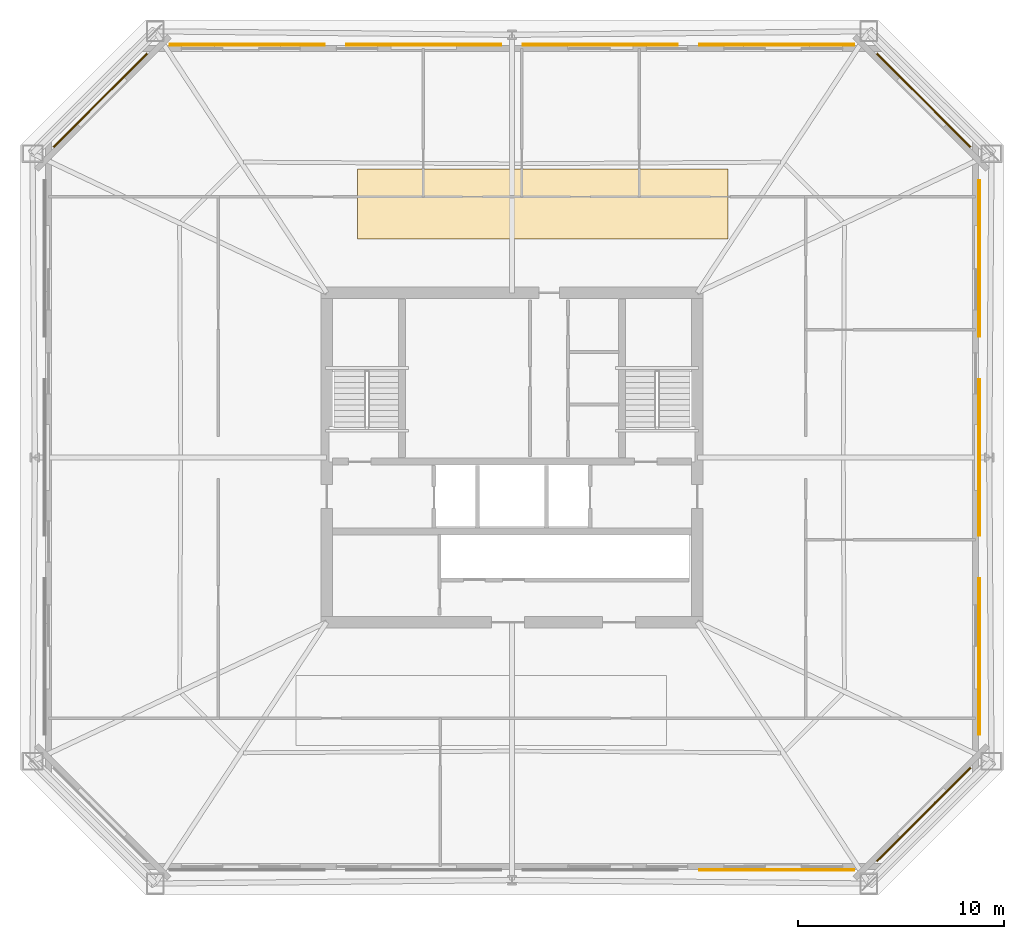
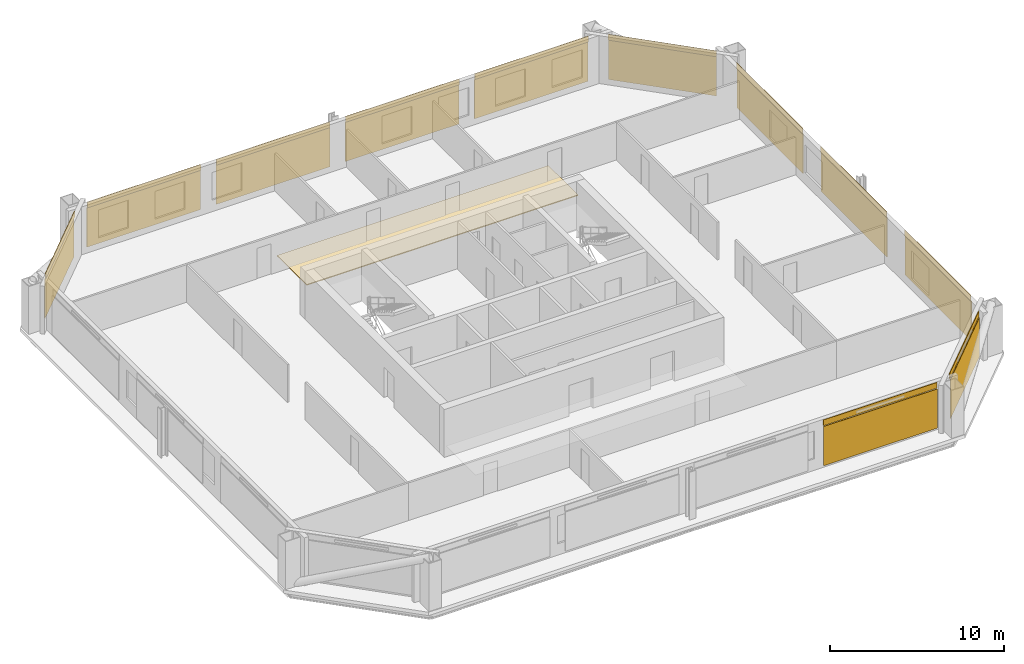
# One storey, part 6 of 6: 12 coverings, 11 shading devices.
"""IFC4 building model written with IfcOpenShell, lengths in metres."""

from ifc_helpers import new_model, si_unit, direction, frame, origin, origin_2d, place, context, subcontext, project, spatial, polyline, rectangle, outline, extrude, material, layer, layer_set, type_object, element, save


model = new_model("IFC4")

# Units and contexts
model_context = context("Model", 3, precision=1e-05, world=origin(), true_north=direction((0.0, 1.0)))
body_context = subcontext(model_context, "Body", "Model", "MODEL_VIEW")
ifc_project = project(units=[si_unit("LENGTHUNIT", "METRE"), si_unit("AREAUNIT", "SQUARE_METRE"), si_unit("VOLUMEUNIT", "CUBIC_METRE"), si_unit("PLANEANGLEUNIT", "RADIAN"), si_unit("MASSUNIT", "GRAM", prefix="KILO")], contexts=[model_context])

# Site, building, storey
site_placement = place(None, origin())
site = spatial("IfcSite", under=ifc_project, at=site_placement, CompositionType="ELEMENT")
building_placement = place(site_placement, origin())
building = spatial("IfcBuilding", under=site, at=building_placement, Name="Caelvoria Tower", CompositionType="ELEMENT")
storey_placement = place(building_placement, frame((0.0, 0.0, 131.199951171875)))
storey = spatial("IfcBuildingStorey", under=building, at=storey_placement, Name="L34", CompositionType="ELEMENT", Elevation=131.199951171875)

# Coverings
ifc_material_1 = material(Name="Perforated Architectural Bronze Cladding Screen", Category="bronze")
ifc_layer_1 = layer(ifc_material_1, 0.0400390625, Name="Perforated Architectural Bronze Cladding Screen")
ifc_layer_set_1 = layer_set([ifc_layer_1], Name="Perforated Bronze Louvre Cladding Band 40 - Perforated Architectural Bronze Cladding Screen")
covering_type_1 = type_object("IfcCoveringType", Name="Perforated Bronze Louvre Cladding Band 40", PredefinedType="CLADDING", material=ifc_layer_set_1)
covering_1_placement = place(storey_placement, frame((58.85498046875, 11.97802734375, 2.940185546875), z_axis=(0.0, 0.0, 1.0), x_axis=(1.0, 0.0, 0.0)))
element("IfcCovering", 1, at=covering_1_placement, inside=storey, type_object=covering_type_1, Name="Perforated Bronze Screen Band L34-E0-03", PredefinedType="CLADDING", context=body_context, shape_type="SweptSolid", body=[
    extrude(rectangle(XDim=7.54150390625, YDim=0.0400390625, at=origin_2d()), origin(), (0.0, 0.0, 1.0), 0.39990234375),
])
covering_2_placement = place(storey_placement, frame((65.981689453125, 14.668212890625, 2.940185546875), z_axis=(0.0, 0.0, 1.0), x_axis=(0.707106781187, 0.707106781187, 0.0)))
element("IfcCovering", 2, at=covering_2_placement, inside=storey, type_object=covering_type_1, Name="Perforated Bronze Screen Band L34-E1-00", PredefinedType="CLADDING", context=body_context, shape_type="SweptSolid", body=[
    extrude(rectangle(XDim=6.429931640625, YDim=0.0400390625, at=origin_2d()), origin(), (0.0, 0.0, 1.0), 0.39990234375),
])
for number, where, z_axis, x_axis, name in (
    (3, (68.672119140625, 22.340087890625, 2.940185546875), (0.0, 0.0, 1.0), (0.0, 1.0, 0.0), "Perforated Bronze Screen Band L34-E2-00"),
    (4, (68.672119140625, 32.0, 2.940185546875), (0.0, 0.0, 1.0), (0.0, 1.0, 0.0), "Perforated Bronze Screen Band L34-E2-01"),
    (5, (68.672119140625, 41.659912109375, 2.940185546875), (0.0, 0.0, 1.0), (0.0, 1.0, 0.0), "Perforated Bronze Screen Band L34-E2-02"),
):
    element("IfcCovering", number, at=place(storey_placement, frame(where, z_axis=z_axis, x_axis=x_axis)), inside=storey, type_object=covering_type_1, Name=name, PredefinedType="CLADDING", context=body_context, shape_type="SweptSolid", body=[
        extrude(rectangle(XDim=7.60009765625, YDim=0.0400390625, at=origin_2d()), origin(), (0.0, 0.0, 1.0), 0.39990234375),
    ])
covering_3_placement = place(storey_placement, frame((65.981689453125, 49.331787109375, 2.940185546875), z_axis=(0.0, 0.0, 1.0), x_axis=(-0.707106781187, 0.707106781187, 0.0)))
element("IfcCovering", 6, at=covering_3_placement, inside=storey, type_object=covering_type_1, Name="Perforated Bronze Screen Band L34-E3-00", PredefinedType="CLADDING", context=body_context, shape_type="SweptSolid", body=[
    extrude(rectangle(XDim=6.429931640625, YDim=0.0400390625, at=origin_2d()), origin(), (0.0, 0.0, 1.0), 0.39990234375),
])
for number, where, z_axis, x_axis, name in (
    (7, (58.85498046875, 52.02197265625, 2.940185546875), (0.0, 0.0, 1.0), (-1.0, 0.0, 0.0), "Perforated Bronze Screen Band L34-E4-00"),
    (8, (50.284912109375, 52.02197265625, 2.940185546875), (0.0, 0.0, 1.0), (-1.0, 0.0, 0.0), "Perforated Bronze Screen Band L34-E4-01"),
    (9, (41.715087890625, 52.02197265625, 2.940185546875), (0.0, 0.0, 1.0), (-1.0, 0.0, 0.0), "Perforated Bronze Screen Band L34-E4-02"),
    (10, (33.14501953125, 52.02197265625, 2.940185546875), (0.0, 0.0, 1.0), (-1.0, 0.0, 0.0), "Perforated Bronze Screen Band L34-E4-03"),
):
    element("IfcCovering", number, at=place(storey_placement, frame(where, z_axis=z_axis, x_axis=x_axis)), inside=storey, type_object=covering_type_1, Name=name, PredefinedType="CLADDING", context=body_context, shape_type="SweptSolid", body=[
        extrude(rectangle(XDim=7.54150390625, YDim=0.0400390625, at=origin_2d()), origin(), (0.0, 0.0, 1.0), 0.39990234375),
    ])
covering_4_placement = place(storey_placement, frame((26.018310546875, 49.331787109375, 2.940185546875), z_axis=(0.0, 0.0, 1.0), x_axis=(-0.707106781187, -0.707106781187, 0.0)))
element("IfcCovering", 11, at=covering_4_placement, inside=storey, type_object=covering_type_1, Name="Perforated Bronze Screen Band L34-E5-00", PredefinedType="CLADDING", context=body_context, shape_type="SweptSolid", body=[
    extrude(rectangle(XDim=6.429931640625, YDim=0.0400390625, at=origin_2d()), origin(), (0.0, 0.0, 1.0), 0.39990234375),
])

# Shading devices
ifc_material_2 = material(Name="Perforated Architectural Bronze Alloy Panel", Category="bronze")
ifc_layer_2 = layer(ifc_material_2, 0.044921875, Name="Perforated Architectural Bronze Alloy Panel")
ifc_layer_set_2 = layer_set([ifc_layer_2], Name="Perforated Bronze Solar Screen Panel SCREEN - Perforated Architectural Bronze Alloy Panel")
shading_device_type = type_object("IfcShadingDeviceType", Name="Perforated Bronze Solar Screen Panel SCREEN", PredefinedType="USERDEFINED", material=ifc_layer_set_2)
shading_device_1_placement = place(storey_placement, frame((58.85498046875, 11.93505859375, 0.16015625), z_axis=(0.0, 0.0, 1.0), x_axis=(1.0, 0.0, 0.0)))
element("IfcShadingDevice", 12, at=shading_device_1_placement, inside=storey, type_object=shading_device_type, Name="Perforated Bronze Solar Screen L34-E0-03", ObjectType="SCREEN", PredefinedType="USERDEFINED", context=body_context, shape_type="SweptSolid", body=[
    extrude(rectangle(XDim=7.54150390625, YDim=0.044921875, at=origin_2d()), origin(), (0.0, 0.0, 1.0), 2.75),
])
shading_device_2_placement = place(storey_placement, frame((66.01220703125, 14.637939453125, 0.16015625), z_axis=(0.0, 0.0, 1.0), x_axis=(0.707106781187, 0.707106781187, 0.0)))
element("IfcShadingDevice", 13, at=shading_device_2_placement, inside=storey, type_object=shading_device_type, Name="Perforated Bronze Solar Screen L34-E1-00", ObjectType="SCREEN", PredefinedType="USERDEFINED", context=body_context, shape_type="SweptSolid", body=[
    extrude(rectangle(XDim=6.429931640625, YDim=0.044921875, at=origin_2d()), origin(), (0.0, 0.0, 1.0), 2.75),
])
for number, where, z_axis, x_axis, name in (
    (14, (68.715087890625, 22.340087890625, 0.16015625), (0.0, 0.0, 1.0), (0.0, 1.0, 0.0), "Perforated Bronze Solar Screen L34-E2-00"),
    (15, (68.715087890625, 32.0, 0.16015625), (0.0, 0.0, 1.0), (0.0, 1.0, 0.0), "Perforated Bronze Solar Screen L34-E2-01"),
    (16, (68.715087890625, 41.659912109375, 0.16015625), (0.0, 0.0, 1.0), (0.0, 1.0, 0.0), "Perforated Bronze Solar Screen L34-E2-02"),
):
    element("IfcShadingDevice", number, at=place(storey_placement, frame(where, z_axis=z_axis, x_axis=x_axis)), inside=storey, type_object=shading_device_type, Name=name, ObjectType="SCREEN", PredefinedType="USERDEFINED", context=body_context, shape_type="SweptSolid", body=[
        extrude(rectangle(XDim=7.60009765625, YDim=0.044921875, at=origin_2d()), origin(), (0.0, 0.0, 1.0), 2.75),
    ])
shading_device_3_placement = place(storey_placement, frame((66.01220703125, 49.362060546875, 0.16015625), z_axis=(0.0, 0.0, 1.0), x_axis=(-0.707106781187, 0.707106781187, 0.0)))
element("IfcShadingDevice", 17, at=shading_device_3_placement, inside=storey, type_object=shading_device_type, Name="Perforated Bronze Solar Screen L34-E3-00", ObjectType="SCREEN", PredefinedType="USERDEFINED", context=body_context, shape_type="SweptSolid", body=[
    extrude(rectangle(XDim=6.429931640625, YDim=0.044921875, at=origin_2d()), origin(), (0.0, 0.0, 1.0), 2.75),
])
for number, where, z_axis, x_axis, name in (
    (18, (58.85498046875, 52.06494140625, 0.16015625), (0.0, 0.0, 1.0), (-1.0, 0.0, 0.0), "Perforated Bronze Solar Screen L34-E4-00"),
    (19, (50.284912109375, 52.06494140625, 0.16015625), (0.0, 0.0, 1.0), (-1.0, 0.0, 0.0), "Perforated Bronze Solar Screen L34-E4-01"),
    (20, (41.715087890625, 52.06494140625, 0.16015625), (0.0, 0.0, 1.0), (-1.0, 0.0, 0.0), "Perforated Bronze Solar Screen L34-E4-02"),
    (21, (33.14501953125, 52.06494140625, 0.16015625), (0.0, 0.0, 1.0), (-1.0, 0.0, 0.0), "Perforated Bronze Solar Screen L34-E4-03"),
):
    element("IfcShadingDevice", number, at=place(storey_placement, frame(where, z_axis=z_axis, x_axis=x_axis)), inside=storey, type_object=shading_device_type, Name=name, ObjectType="SCREEN", PredefinedType="USERDEFINED", context=body_context, shape_type="SweptSolid", body=[
        extrude(rectangle(XDim=7.54150390625, YDim=0.044921875, at=origin_2d()), origin(), (0.0, 0.0, 1.0), 2.75),
    ])
shading_device_4_placement = place(storey_placement, frame((25.98779296875, 49.362060546875, 0.16015625), z_axis=(0.0, 0.0, 1.0), x_axis=(-0.707106781187, -0.707106781187, 0.0)))
element("IfcShadingDevice", 22, at=shading_device_4_placement, inside=storey, type_object=shading_device_type, Name="Perforated Bronze Solar Screen L34-E5-00", ObjectType="SCREEN", PredefinedType="USERDEFINED", context=body_context, shape_type="SweptSolid", body=[
    extrude(rectangle(XDim=6.429931640625, YDim=0.044921875, at=origin_2d()), origin(), (0.0, 0.0, 1.0), 2.75),
])

# Covering
ifc_material_3 = material(Name="Calcium-Sulphate Raised Floor Tile", Category="gypsum")
ifc_layer_3 = layer(ifc_material_3, 0.06005859375, Name="Calcium-Sulphate Raised Floor Tile")
ifc_layer_set_3 = layer_set([ifc_layer_3], Name="Raised Access Office Floor System 120 - Calcium-Sulphate Raised Floor Tile")
covering_type_2 = type_object("IfcCoveringType", Name="Raised Access Office Floor System 120", PredefinedType="FLOORING", material=ifc_layer_set_3)
covering_5_placement = place(storey_placement, origin())
element("IfcCovering", 23, at=covering_5_placement, inside=storey, type_object=covering_type_2, Name="Raised Access Flooring L34", PredefinedType="FLOORING", context=body_context, shape_type="SweptSolid", body=[
    extrude(outline(polyline([(38.5, 42.60009765625), (56.5, 42.60009765625), (56.5, 46.0), (38.5, 46.0), (38.5, 42.60009765625)])), origin(), (0.0, 0.0, 1.0), 0.06005859375),
])

save(model, "model.ifc")
